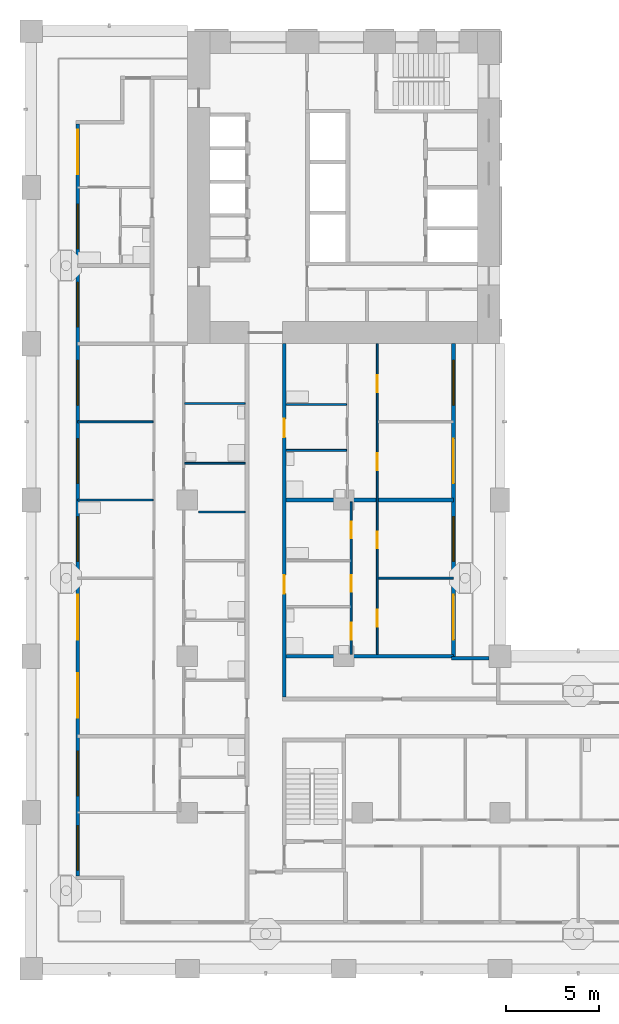
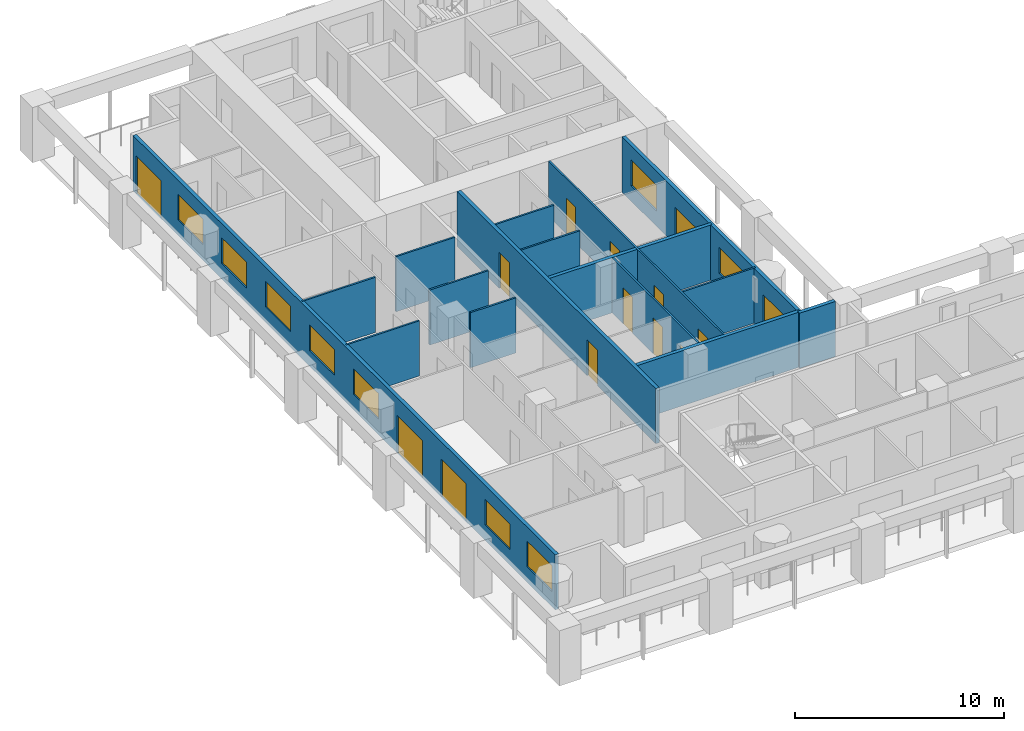
# One storey, part 4 of 19: 16 walls, 14 doors, 9 windows, 23 openings.
"""IFC4 building model written with IfcOpenShell, lengths in metres."""

from ifc_helpers import new_model, si_unit, direction, frame, frame_2d, origin, place, context, subcontext, project, spatial, rectangle, extrude, material, layer, layer_set, type_object, element, fill, save


model = new_model("IFC4")

# Units and contexts
model_context = context("Model", 3, precision=1e-05, world=origin(), true_north=direction((0.0, 1.0)))
body_context = subcontext(model_context, "Body", "Model", "MODEL_VIEW")
ifc_project = project(units=[si_unit("LENGTHUNIT", "METRE"), si_unit("AREAUNIT", "SQUARE_METRE"), si_unit("VOLUMEUNIT", "CUBIC_METRE"), si_unit("PLANEANGLEUNIT", "RADIAN"), si_unit("MASSUNIT", "GRAM", prefix="KILO")], contexts=[model_context])

# Site, building, storey
site_placement = place(None, origin())
site = spatial("IfcSite", under=ifc_project, at=site_placement, CompositionType="ELEMENT")
building_placement = place(site_placement, origin())
building = spatial("IfcBuilding", under=site, at=building_placement, Name="Vermilion Gate Residences", CompositionType="ELEMENT")
storey_placement = place(building_placement, frame((0.0, 0.0, 123.199951171875)))
storey = spatial("IfcBuildingStorey", under=building, at=storey_placement, Name="L31", CompositionType="ELEMENT", Elevation=123.199951171875)

# Wall, openings, doors, windows
ifc_material_1 = material(Name="Insulated steel stud wall with terracotta rainscreen", Category="masonry")
ifc_layer_1 = layer(ifc_material_1, 0.199951171875)
ifc_layer_set_1 = layer_set([ifc_layer_1], Name="EXTERNAL WALL 200 TERRACOTTA RAINSCREEN")
wall_type_1 = type_object("IfcWallType", Name="EXTERNAL WALL 200 TERRACOTTA RAINSCREEN", PredefinedType="SOLIDWALL", material=ifc_layer_set_1)
wall_1_placement = place(storey_placement, frame((2.5, 53.800048828125, 0.0), z_axis=(0.0, 0.0, 1.0), x_axis=(0.0, -1.0, 0.0)))
wall_1 = element("IfcWall", 1, at=wall_1_placement, inside=storey, type_object=wall_type_1, Name="External wall", PredefinedType="SOLIDWALL", context=body_context, shape_type="SweptSolid", body=[
    extrude(rectangle(XDim=40.400146484375, YDim=0.199951171875, at=frame_2d((20.2001953125, 0.0))), origin(), (0.0, 0.0, 1.0), 3.219970703125),
])
opening_1_placement = place(wall_1_placement, frame((37.699951171875, 0.0, 0.89990234375)))
opening_1 = element("IfcOpeningElement", 2, at=opening_1_placement, cuts=wall_1, Name="Opening WE31002", PredefinedType="OPENING", context=body_context, shape_type="SweptSolid", body=[
    extrude(rectangle(XDim=2.39990234375, YDim=1.5, at=frame_2d((1.199951171875, 0.75))), frame((0.0, 0.10986328125, 0.0), z_axis=(0.0, -1.0, 0.0), x_axis=(1.0, 0.0, 0.0)), (0.0, 0.0, 1.0), 0.219970703125),
])
opening_2_placement = place(wall_1_placement, frame((33.699951171875, 0.0, 0.89990234375)))
opening_2 = element("IfcOpeningElement", 3, at=opening_2_placement, cuts=wall_1, Name="Opening WE31003", PredefinedType="OPENING", context=body_context, shape_type="SweptSolid", body=[
    extrude(rectangle(XDim=2.39990234375, YDim=1.5, at=frame_2d((1.199951171875, 0.75))), frame((0.0, 0.10986328125, 0.0), z_axis=(0.0, -1.0, 0.0), x_axis=(1.0, 0.0, 0.0)), (0.0, 0.0, 1.0), 0.219970703125),
])
opening_3_placement = place(wall_1_placement, frame((29.5, 0.0, 0.0)))
opening_3 = element("IfcOpeningElement", 4, at=opening_3_placement, cuts=wall_1, Name="Opening DE31004", PredefinedType="OPENING", context=body_context, shape_type="SweptSolid", body=[
    extrude(rectangle(XDim=2.39990234375, YDim=2.199951171875, at=frame_2d((1.199951171875, 1.10009765625))), frame((0.0, 0.10986328125, 0.0), z_axis=(0.0, -1.0, 0.0), x_axis=(1.0, 0.0, 0.0)), (0.0, 0.0, 1.0), 0.219970703125),
])
opening_4_placement = place(wall_1_placement, frame((25.300048828125, 0.0, 0.0)))
opening_4 = element("IfcOpeningElement", 5, at=opening_4_placement, cuts=wall_1, Name="Opening DE31005", PredefinedType="OPENING", context=body_context, shape_type="SweptSolid", body=[
    extrude(rectangle(XDim=2.39990234375, YDim=2.199951171875, at=frame_2d((1.199951171875, 1.10009765625))), frame((0.0, 0.10986328125, 0.0), z_axis=(0.0, -1.0, 0.0), x_axis=(1.0, 0.0, 0.0)), (0.0, 0.0, 1.0), 0.219970703125),
])
opening_5_placement = place(wall_1_placement, frame((21.10009765625, 0.0, 0.89990234375)))
opening_5 = element("IfcOpeningElement", 6, at=opening_5_placement, cuts=wall_1, Name="Opening WE31006", PredefinedType="OPENING", context=body_context, shape_type="SweptSolid", body=[
    extrude(rectangle(XDim=2.39990234375, YDim=1.5, at=frame_2d((1.199951171875, 0.75))), frame((0.0, 0.10986328125, 0.0), z_axis=(0.0, -1.0, 0.0), x_axis=(1.0, 0.0, 0.0)), (0.0, 0.0, 1.0), 0.219970703125),
])
opening_6_placement = place(wall_1_placement, frame((16.89990234375, 0.0, 0.89990234375)))
opening_6 = element("IfcOpeningElement", 7, at=opening_6_placement, cuts=wall_1, Name="Opening WE31007", PredefinedType="OPENING", context=body_context, shape_type="SweptSolid", body=[
    extrude(rectangle(XDim=2.39990234375, YDim=1.5, at=frame_2d((1.199951171875, 0.75))), frame((0.0, 0.10986328125, 0.0), z_axis=(0.0, -1.0, 0.0), x_axis=(1.0, 0.0, 0.0)), (0.0, 0.0, 1.0), 0.219970703125),
])
opening_7_placement = place(wall_1_placement, frame((12.699951171875, 0.0, 0.89990234375)))
opening_7 = element("IfcOpeningElement", 8, at=opening_7_placement, cuts=wall_1, Name="Opening WE31008", PredefinedType="OPENING", context=body_context, shape_type="SweptSolid", body=[
    extrude(rectangle(XDim=2.39990234375, YDim=1.5, at=frame_2d((1.199951171875, 0.75))), frame((0.0, 0.10986328125, 0.0), z_axis=(0.0, -1.0, 0.0), x_axis=(1.0, 0.0, 0.0)), (0.0, 0.0, 1.0), 0.219970703125),
])
opening_8_placement = place(wall_1_placement, frame((8.5, 0.0, 0.89990234375)))
opening_8 = element("IfcOpeningElement", 9, at=opening_8_placement, cuts=wall_1, Name="Opening WE31009", PredefinedType="OPENING", context=body_context, shape_type="SweptSolid", body=[
    extrude(rectangle(XDim=2.39990234375, YDim=1.5, at=frame_2d((1.199951171875, 0.75))), frame((0.0, 0.10986328125, 0.0), z_axis=(0.0, -1.0, 0.0), x_axis=(1.0, 0.0, 0.0)), (0.0, 0.0, 1.0), 0.219970703125),
])
opening_9_placement = place(wall_1_placement, frame((4.300048828125, 0.0, 0.89990234375)))
opening_9 = element("IfcOpeningElement", 10, at=opening_9_placement, cuts=wall_1, Name="Opening WE31010", PredefinedType="OPENING", context=body_context, shape_type="SweptSolid", body=[
    extrude(rectangle(XDim=2.39990234375, YDim=1.5, at=frame_2d((1.199951171875, 0.75))), frame((0.0, 0.10986328125, 0.0), z_axis=(0.0, -1.0, 0.0), x_axis=(1.0, 0.0, 0.0)), (0.0, 0.0, 1.0), 0.219970703125),
])
opening_10_placement = place(wall_1_placement, frame((0.300048828125, 0.0, 0.0)))
opening_10 = element("IfcOpeningElement", 11, at=opening_10_placement, cuts=wall_1, Name="Opening DE31011", PredefinedType="OPENING", context=body_context, shape_type="SweptSolid", body=[
    extrude(rectangle(XDim=2.39990234375, YDim=2.199951171875, at=frame_2d((1.199951171875, 1.10009765625))), frame((0.0, 0.10986328125, 0.0), z_axis=(0.0, -1.0, 0.0), x_axis=(1.0, 0.0, 0.0)), (0.0, 0.0, 1.0), 0.219970703125),
])
ifc_material_2 = material(Name="Aluminium and clear glass", Category="aluminium")
door_type_1 = type_object("IfcDoorType", Name="SLIDING GLAZED DOOR 2400 X 2200", OperationType="DOUBLE_DOOR_SLIDING", PredefinedType="DOOR", material=ifc_material_2)
door_1_placement = place(opening_3_placement, origin())
door_1 = element("IfcDoor", 12, at=door_1_placement, inside=storey, type_object=door_type_1, Name="Loggia sliding door", OperationType="DOUBLE_DOOR_SLIDING", OverallHeight=2.199951171875, OverallWidth=2.39990234375, PredefinedType="DOOR", context=body_context, shape_type="SweptSolid", body=[
    extrude(rectangle(XDim=2.39990234375, YDim=2.199951171875, at=frame_2d((1.199951171875, 1.10009765625))), frame((0.0, 0.02490234375, 0.0), z_axis=(0.0, -1.0, 0.0), x_axis=(1.0, 0.0, 0.0)), (0.0, 0.0, 1.0), 0.050048828125),
])
fill(opening_3, door_1)
door_2_placement = place(opening_4_placement, origin())
door_2 = element("IfcDoor", 13, at=door_2_placement, inside=storey, type_object=door_type_1, Name="Loggia sliding door", OperationType="DOUBLE_DOOR_SLIDING", OverallHeight=2.199951171875, OverallWidth=2.39990234375, PredefinedType="DOOR", context=body_context, shape_type="SweptSolid", body=[
    extrude(rectangle(XDim=2.39990234375, YDim=2.199951171875, at=frame_2d((1.199951171875, 1.10009765625))), frame((0.0, 0.02490234375, 0.0), z_axis=(0.0, -1.0, 0.0), x_axis=(1.0, 0.0, 0.0)), (0.0, 0.0, 1.0), 0.050048828125),
])
fill(opening_4, door_2)
door_3_placement = place(opening_10_placement, origin())
door_3 = element("IfcDoor", 14, at=door_3_placement, inside=storey, type_object=door_type_1, Name="Loggia sliding door", OperationType="DOUBLE_DOOR_SLIDING", OverallHeight=2.199951171875, OverallWidth=2.39990234375, PredefinedType="DOOR", context=body_context, shape_type="SweptSolid", body=[
    extrude(rectangle(XDim=2.39990234375, YDim=2.199951171875, at=frame_2d((1.199951171875, 1.10009765625))), frame((0.0, 0.02490234375, 0.0), z_axis=(0.0, -1.0, 0.0), x_axis=(1.0, 0.0, 0.0)), (0.0, 0.0, 1.0), 0.050048828125),
])
fill(opening_10, door_3)
ifc_material_3 = material(Name="Aluminium and clear glass", Category="aluminium")
window_type = type_object("IfcWindowType", Name="WINDOW 2400 X 1500", PartitioningType="SINGLE_PANEL", PredefinedType="WINDOW", material=ifc_material_3)
window_1_placement = place(opening_1_placement, origin())
window_1 = element("IfcWindow", 15, at=window_1_placement, inside=storey, type_object=window_type, Name="Window", OverallHeight=1.5, OverallWidth=2.39990234375, PartitioningType="SINGLE_PANEL", PredefinedType="WINDOW", context=body_context, shape_type="SweptSolid", body=[
    extrude(rectangle(XDim=2.39990234375, YDim=1.5, at=frame_2d((1.199951171875, 0.75))), frame((0.0, 0.030029296875, 0.0), z_axis=(0.0, -1.0, 0.0), x_axis=(1.0, 0.0, 0.0)), (0.0, 0.0, 1.0), 0.06005859375),
])
fill(opening_1, window_1)
window_2_placement = place(opening_2_placement, origin())
window_2 = element("IfcWindow", 16, at=window_2_placement, inside=storey, type_object=window_type, Name="Window", OverallHeight=1.5, OverallWidth=2.39990234375, PartitioningType="SINGLE_PANEL", PredefinedType="WINDOW", context=body_context, shape_type="SweptSolid", body=[
    extrude(rectangle(XDim=2.39990234375, YDim=1.5, at=frame_2d((1.199951171875, 0.75))), frame((0.0, 0.030029296875, 0.0), z_axis=(0.0, -1.0, 0.0), x_axis=(1.0, 0.0, 0.0)), (0.0, 0.0, 1.0), 0.06005859375),
])
fill(opening_2, window_2)
window_3_placement = place(opening_5_placement, origin())
window_3 = element("IfcWindow", 17, at=window_3_placement, inside=storey, type_object=window_type, Name="Window", OverallHeight=1.5, OverallWidth=2.39990234375, PartitioningType="SINGLE_PANEL", PredefinedType="WINDOW", context=body_context, shape_type="SweptSolid", body=[
    extrude(rectangle(XDim=2.39990234375, YDim=1.5, at=frame_2d((1.199951171875, 0.75))), frame((0.0, 0.030029296875, 0.0), z_axis=(0.0, -1.0, 0.0), x_axis=(1.0, 0.0, 0.0)), (0.0, 0.0, 1.0), 0.06005859375),
])
fill(opening_5, window_3)
window_4_placement = place(opening_6_placement, origin())
window_4 = element("IfcWindow", 18, at=window_4_placement, inside=storey, type_object=window_type, Name="Window", OverallHeight=1.5, OverallWidth=2.39990234375, PartitioningType="SINGLE_PANEL", PredefinedType="WINDOW", context=body_context, shape_type="SweptSolid", body=[
    extrude(rectangle(XDim=2.39990234375, YDim=1.5, at=frame_2d((1.199951171875, 0.75))), frame((0.0, 0.030029296875, 0.0), z_axis=(0.0, -1.0, 0.0), x_axis=(1.0, 0.0, 0.0)), (0.0, 0.0, 1.0), 0.06005859375),
])
fill(opening_6, window_4)
window_5_placement = place(opening_7_placement, origin())
window_5 = element("IfcWindow", 19, at=window_5_placement, inside=storey, type_object=window_type, Name="Window", OverallHeight=1.5, OverallWidth=2.39990234375, PartitioningType="SINGLE_PANEL", PredefinedType="WINDOW", context=body_context, shape_type="SweptSolid", body=[
    extrude(rectangle(XDim=2.39990234375, YDim=1.5, at=frame_2d((1.199951171875, 0.75))), frame((0.0, 0.030029296875, 0.0), z_axis=(0.0, -1.0, 0.0), x_axis=(1.0, 0.0, 0.0)), (0.0, 0.0, 1.0), 0.06005859375),
])
fill(opening_7, window_5)
window_6_placement = place(opening_8_placement, origin())
window_6 = element("IfcWindow", 20, at=window_6_placement, inside=storey, type_object=window_type, Name="Window", OverallHeight=1.5, OverallWidth=2.39990234375, PartitioningType="SINGLE_PANEL", PredefinedType="WINDOW", context=body_context, shape_type="SweptSolid", body=[
    extrude(rectangle(XDim=2.39990234375, YDim=1.5, at=frame_2d((1.199951171875, 0.75))), frame((0.0, 0.030029296875, 0.0), z_axis=(0.0, -1.0, 0.0), x_axis=(1.0, 0.0, 0.0)), (0.0, 0.0, 1.0), 0.06005859375),
])
fill(opening_8, window_6)
window_7_placement = place(opening_9_placement, origin())
window_7 = element("IfcWindow", 21, at=window_7_placement, inside=storey, type_object=window_type, Name="Window", OverallHeight=1.5, OverallWidth=2.39990234375, PartitioningType="SINGLE_PANEL", PredefinedType="WINDOW", context=body_context, shape_type="SweptSolid", body=[
    extrude(rectangle(XDim=2.39990234375, YDim=1.5, at=frame_2d((1.199951171875, 0.75))), frame((0.0, 0.030029296875, 0.0), z_axis=(0.0, -1.0, 0.0), x_axis=(1.0, 0.0, 0.0)), (0.0, 0.0, 1.0), 0.06005859375),
])
fill(opening_9, window_7)

# Wall
wall_2_placement = place(storey_placement, frame((24.60009765625, 25.10009765625, 0.0), z_axis=(0.0, 0.0, 1.0), x_axis=(-1.0, 0.0, 0.0)))
element("IfcWall", 22, at=wall_2_placement, inside=storey, type_object=wall_type_1, Name="External wall", PredefinedType="SOLIDWALL", context=body_context, shape_type="SweptSolid", body=[
    extrude(rectangle(XDim=2.0, YDim=0.199951171875, at=frame_2d((1.0, 0.0))), origin(), (0.0, 0.0, 1.0), 3.219970703125),
])

# Wall, openings, doors, windows
wall_3_placement = place(storey_placement, frame((22.699951171875, 25.199951171875, 0.0), z_axis=(0.0, 0.0, 1.0), x_axis=(0.0, 1.0, 0.0)))
wall_3 = element("IfcWall", 23, at=wall_3_placement, inside=storey, type_object=wall_type_1, Name="External wall", PredefinedType="SOLIDWALL", context=body_context, shape_type="SweptSolid", body=[
    extrude(rectangle(XDim=16.800048828125, YDim=0.199951171875, at=frame_2d((8.39990234375, 0.0))), origin(), (0.0, 0.0, 1.0), 3.219970703125),
])
opening_11_placement = place(wall_3_placement, frame((0.89990234375, 0.0, 0.0)))
opening_11 = element("IfcOpeningElement", 24, at=opening_11_placement, cuts=wall_3, Name="Opening DE31024", PredefinedType="OPENING", context=body_context, shape_type="SweptSolid", body=[
    extrude(rectangle(XDim=2.39990234375, YDim=2.199951171875, at=frame_2d((1.199951171875, 1.10009765625))), frame((0.0, 0.10986328125, 0.0), z_axis=(0.0, -1.0, 0.0), x_axis=(1.0, 0.0, 0.0)), (0.0, 0.0, 1.0), 0.219970703125),
])
opening_12_placement = place(wall_3_placement, frame((5.10009765625, 0.0, 0.89990234375)))
opening_12 = element("IfcOpeningElement", 25, at=opening_12_placement, cuts=wall_3, Name="Opening WE31025", PredefinedType="OPENING", context=body_context, shape_type="SweptSolid", body=[
    extrude(rectangle(XDim=2.39990234375, YDim=1.5, at=frame_2d((1.199951171875, 0.75))), frame((0.0, 0.10986328125, 0.0), z_axis=(0.0, -1.0, 0.0), x_axis=(1.0, 0.0, 0.0)), (0.0, 0.0, 1.0), 0.219970703125),
])
opening_13_placement = place(wall_3_placement, frame((9.300048828125, 0.0, 0.0)))
opening_13 = element("IfcOpeningElement", 26, at=opening_13_placement, cuts=wall_3, Name="Opening DE31026", PredefinedType="OPENING", context=body_context, shape_type="SweptSolid", body=[
    extrude(rectangle(XDim=2.39990234375, YDim=2.199951171875, at=frame_2d((1.199951171875, 1.10009765625))), frame((0.0, 0.10986328125, 0.0), z_axis=(0.0, -1.0, 0.0), x_axis=(1.0, 0.0, 0.0)), (0.0, 0.0, 1.0), 0.219970703125),
])
opening_14_placement = place(wall_3_placement, frame((13.5, 0.0, 0.89990234375)))
opening_14 = element("IfcOpeningElement", 27, at=opening_14_placement, cuts=wall_3, Name="Opening WE31027", PredefinedType="OPENING", context=body_context, shape_type="SweptSolid", body=[
    extrude(rectangle(XDim=2.39990234375, YDim=1.5, at=frame_2d((1.199951171875, 0.75))), frame((0.0, 0.10986328125, 0.0), z_axis=(0.0, -1.0, 0.0), x_axis=(1.0, 0.0, 0.0)), (0.0, 0.0, 1.0), 0.219970703125),
])
door_4_placement = place(opening_11_placement, origin())
door_4 = element("IfcDoor", 28, at=door_4_placement, inside=storey, type_object=door_type_1, Name="Loggia sliding door", OperationType="DOUBLE_DOOR_SLIDING", OverallHeight=2.199951171875, OverallWidth=2.39990234375, PredefinedType="DOOR", context=body_context, shape_type="SweptSolid", body=[
    extrude(rectangle(XDim=2.39990234375, YDim=2.199951171875, at=frame_2d((1.199951171875, 1.10009765625))), frame((0.0, 0.02490234375, 0.0), z_axis=(0.0, -1.0, 0.0), x_axis=(1.0, 0.0, 0.0)), (0.0, 0.0, 1.0), 0.050048828125),
])
fill(opening_11, door_4)
door_5_placement = place(opening_13_placement, origin())
door_5 = element("IfcDoor", 29, at=door_5_placement, inside=storey, type_object=door_type_1, Name="Loggia sliding door", OperationType="DOUBLE_DOOR_SLIDING", OverallHeight=2.199951171875, OverallWidth=2.39990234375, PredefinedType="DOOR", context=body_context, shape_type="SweptSolid", body=[
    extrude(rectangle(XDim=2.39990234375, YDim=2.199951171875, at=frame_2d((1.199951171875, 1.10009765625))), frame((0.0, 0.02490234375, 0.0), z_axis=(0.0, -1.0, 0.0), x_axis=(1.0, 0.0, 0.0)), (0.0, 0.0, 1.0), 0.050048828125),
])
fill(opening_13, door_5)
window_8_placement = place(opening_12_placement, origin())
window_8 = element("IfcWindow", 30, at=window_8_placement, inside=storey, type_object=window_type, Name="Window", OverallHeight=1.5, OverallWidth=2.39990234375, PartitioningType="SINGLE_PANEL", PredefinedType="WINDOW", context=body_context, shape_type="SweptSolid", body=[
    extrude(rectangle(XDim=2.39990234375, YDim=1.5, at=frame_2d((1.199951171875, 0.75))), frame((0.0, 0.030029296875, 0.0), z_axis=(0.0, -1.0, 0.0), x_axis=(1.0, 0.0, 0.0)), (0.0, 0.0, 1.0), 0.06005859375),
])
fill(opening_12, window_8)
window_9_placement = place(opening_14_placement, origin())
window_9 = element("IfcWindow", 31, at=window_9_placement, inside=storey, type_object=window_type, Name="Window", OverallHeight=1.5, OverallWidth=2.39990234375, PartitioningType="SINGLE_PANEL", PredefinedType="WINDOW", context=body_context, shape_type="SweptSolid", body=[
    extrude(rectangle(XDim=2.39990234375, YDim=1.5, at=frame_2d((1.199951171875, 0.75))), frame((0.0, 0.030029296875, 0.0), z_axis=(0.0, -1.0, 0.0), x_axis=(1.0, 0.0, 0.0)), (0.0, 0.0, 1.0), 0.06005859375),
])
fill(opening_14, window_9)

# Walls
ifc_material_4 = material(Name="Plasterboard on steel studs", Category="steel")
ifc_layer_2 = layer(ifc_material_4, 0.10009765625)
ifc_layer_set_2 = layer_set([ifc_layer_2], Name="PARTITION 100")
wall_type_2 = type_object("IfcWallType", Name="PARTITION 100", PredefinedType="PARTITIONING", material=ifc_layer_set_2)
wall_4_placement = place(storey_placement, frame((18.64990234375, 29.39990234375, 0.0), z_axis=(0.0, 0.0, 1.0), x_axis=(1.0, 0.0, 0.0)))
element("IfcWall", 32, at=wall_4_placement, inside=storey, type_object=wall_type_2, Name="Partition", PredefinedType="PARTITIONING", context=body_context, shape_type="SweptSolid", body=[
    extrude(rectangle(XDim=4.050048828125, YDim=0.10009765625, at=frame_2d((2.02490234375, 0.0))), origin(), (0.0, 0.0, 1.0), 3.219970703125),
])
wall_5_placement = place(storey_placement, frame((9.0, 32.95703125, 0.0), z_axis=(0.0, 0.0, 1.0), x_axis=(1.0, 0.0, 0.0)))
element("IfcWall", 33, at=wall_5_placement, inside=storey, type_object=wall_type_2, Name="Partition", PredefinedType="PARTITIONING", context=body_context, shape_type="SweptSolid", body=[
    extrude(rectangle(XDim=2.5, YDim=0.10009765625, at=frame_2d((1.25, 0.0))), origin(), (0.0, 0.0, 1.0), 3.219970703125),
])
wall_6_placement = place(storey_placement, frame((2.5, 33.60009765625, 0.0), z_axis=(0.0, 0.0, 1.0), x_axis=(1.0, 0.0, 0.0)))
element("IfcWall", 34, at=wall_6_placement, inside=storey, type_object=wall_type_2, Name="Partition", PredefinedType="PARTITIONING", context=body_context, shape_type="SweptSolid", body=[
    extrude(rectangle(XDim=4.050048828125, YDim=0.10009765625, at=frame_2d((2.02490234375, 0.0))), origin(), (0.0, 0.0, 1.0), 3.219970703125),
])
for number, where, z_axis, x_axis, name in (
    (35, (8.25, 35.572021484375, 0.0), (0.0, 0.0, 1.0), (1.0, 0.0, 0.0), "Partition"),
    (36, (13.699951171875, 36.26708984375, 0.0), (0.0, 0.0, 1.0), (1.0, 0.0, 0.0), "Partition"),
):
    element("IfcWall", number, at=place(storey_placement, frame(where, z_axis=z_axis, x_axis=x_axis)), inside=storey, type_object=wall_type_2, Name=name, PredefinedType="PARTITIONING", context=body_context, shape_type="SweptSolid", body=[
        extrude(rectangle(XDim=3.25, YDim=0.10009765625, at=frame_2d((1.625, 0.0))), origin(), (0.0, 0.0, 1.0), 3.219970703125),
    ])
wall_7_placement = place(storey_placement, frame((2.5, 37.800048828125, 0.0), z_axis=(0.0, 0.0, 1.0), x_axis=(1.0, 0.0, 0.0)))
element("IfcWall", 37, at=wall_7_placement, inside=storey, type_object=wall_type_2, Name="Partition", PredefinedType="PARTITIONING", context=body_context, shape_type="SweptSolid", body=[
    extrude(rectangle(XDim=4.050048828125, YDim=0.10009765625, at=frame_2d((2.02490234375, 0.0))), origin(), (0.0, 0.0, 1.0), 3.219970703125),
])
for number, where, z_axis, x_axis, name in (
    (38, (13.699951171875, 38.73291015625, 0.0), (0.0, 0.0, 1.0), (1.0, 0.0, 0.0), "Partition"),
    (39, (8.25, 38.785888671875, 0.0), (0.0, 0.0, 1.0), (1.0, 0.0, 0.0), "Partition"),
):
    element("IfcWall", number, at=place(storey_placement, frame(where, z_axis=z_axis, x_axis=x_axis)), inside=storey, type_object=wall_type_2, Name=name, PredefinedType="PARTITIONING", context=body_context, shape_type="SweptSolid", body=[
        extrude(rectangle(XDim=3.25, YDim=0.10009765625, at=frame_2d((1.625, 0.0))), origin(), (0.0, 0.0, 1.0), 3.219970703125),
    ])

# Wall, openings, doors
wall_8_placement = place(storey_placement, frame((17.199951171875, 25.300048828125, 0.0), z_axis=(0.0, 0.0, 1.0), x_axis=(0.0, 1.0, 0.0)))
wall_8 = element("IfcWall", 40, at=wall_8_placement, inside=storey, type_object=wall_type_2, Name="Partition", PredefinedType="PARTITIONING", context=body_context, shape_type="SweptSolid", body=[
    extrude(rectangle(XDim=8.199951171875, YDim=0.10009765625, at=frame_2d((4.10009765625, 0.0))), origin(), (0.0, 0.0, 1.0), 3.219970703125),
])
opening_15_placement = place(wall_8_placement, frame((3.366943359375, 0.0, 0.0)))
opening_15 = element("IfcOpeningElement", 41, at=opening_15_placement, cuts=wall_8, Name="Opening DA30043", PredefinedType="OPENING", context=body_context, shape_type="SweptSolid", body=[
    extrude(rectangle(XDim=0.89990234375, YDim=2.10009765625, at=frame_2d((0.449951171875, 1.050048828125))), frame((0.0, 0.06005859375, 0.0), z_axis=(0.0, -1.0, 0.0), x_axis=(1.0, 0.0, 0.0)), (0.0, 0.0, 1.0), 0.1201171875),
])
opening_16_placement = place(wall_8_placement, frame((0.800048828125, 0.0, 0.0)))
opening_16 = element("IfcOpeningElement", 42, at=opening_16_placement, cuts=wall_8, Name="Opening DA30044", PredefinedType="OPENING", context=body_context, shape_type="SweptSolid", body=[
    extrude(rectangle(XDim=0.89990234375, YDim=2.10009765625, at=frame_2d((0.449951171875, 1.050048828125))), frame((0.0, 0.06005859375, 0.0), z_axis=(0.0, -1.0, 0.0), x_axis=(1.0, 0.0, 0.0)), (0.0, 0.0, 1.0), 0.1201171875),
])
opening_17_placement = place(wall_8_placement, frame((6.23291015625, 0.0, 0.0)))
opening_17 = element("IfcOpeningElement", 43, at=opening_17_placement, cuts=wall_8, Name="Opening DA30045", PredefinedType="OPENING", context=body_context, shape_type="SweptSolid", body=[
    extrude(rectangle(XDim=0.89990234375, YDim=2.10009765625, at=frame_2d((0.449951171875, 1.050048828125))), frame((0.0, 0.06005859375, 0.0), z_axis=(0.0, -1.0, 0.0), x_axis=(1.0, 0.0, 0.0)), (0.0, 0.0, 1.0), 0.1201171875),
])
ifc_material_5 = material(Name="Timber", Category="wood")
door_type_2 = type_object("IfcDoorType", Name="INTERIOR DOOR 900 X 2100", OperationType="SINGLE_SWING_LEFT", PredefinedType="DOOR", material=ifc_material_5)
door_6_placement = place(opening_15_placement, origin())
door_6 = element("IfcDoor", 44, at=door_6_placement, inside=storey, type_object=door_type_2, Name="Interior door", OperationType="SINGLE_SWING_RIGHT", OverallHeight=2.10009765625, OverallWidth=0.89990234375, PredefinedType="DOOR", context=body_context, shape_type="SweptSolid", body=[
    extrude(rectangle(XDim=0.89990234375, YDim=2.10009765625, at=frame_2d((0.449951171875, 1.050048828125))), frame((0.0, 0.02490234375, 0.0), z_axis=(0.0, -1.0, 0.0), x_axis=(1.0, 0.0, 0.0)), (0.0, 0.0, 1.0), 0.050048828125),
])
fill(opening_15, door_6)
door_7_placement = place(opening_16_placement, origin())
door_7 = element("IfcDoor", 45, at=door_7_placement, inside=storey, type_object=door_type_2, Name="Interior door", OperationType="SINGLE_SWING_LEFT", OverallHeight=2.10009765625, OverallWidth=0.89990234375, PredefinedType="DOOR", context=body_context, shape_type="SweptSolid", body=[
    extrude(rectangle(XDim=0.89990234375, YDim=2.10009765625, at=frame_2d((0.449951171875, 1.050048828125))), frame((0.0, 0.02490234375, 0.0), z_axis=(0.0, -1.0, 0.0), x_axis=(1.0, 0.0, 0.0)), (0.0, 0.0, 1.0), 0.050048828125),
])
fill(opening_16, door_7)
door_8_placement = place(opening_17_placement, origin())
door_8 = element("IfcDoor", 46, at=door_8_placement, inside=storey, type_object=door_type_2, Name="Interior door", OperationType="SINGLE_SWING_RIGHT", OverallHeight=2.10009765625, OverallWidth=0.89990234375, PredefinedType="DOOR", context=body_context, shape_type="SweptSolid", body=[
    extrude(rectangle(XDim=0.89990234375, YDim=2.10009765625, at=frame_2d((0.449951171875, 1.050048828125))), frame((0.0, 0.02490234375, 0.0), z_axis=(0.0, -1.0, 0.0), x_axis=(1.0, 0.0, 0.0)), (0.0, 0.0, 1.0), 0.050048828125),
])
fill(opening_17, door_8)

wall_9_placement = place(storey_placement, frame((18.60009765625, 25.300048828125, 0.0), z_axis=(0.0, 0.0, 1.0), x_axis=(0.0, 1.0, 0.0)))
wall_9 = element("IfcWall", 47, at=wall_9_placement, inside=storey, type_object=wall_type_2, Name="Partition", PredefinedType="PARTITIONING", context=body_context, shape_type="SweptSolid", body=[
    extrude(rectangle(XDim=16.699951171875, YDim=0.10009765625, at=frame_2d((8.35009765625, 0.0))), origin(), (0.0, 0.0, 1.0), 3.219970703125),
])
opening_18_placement = place(wall_9_placement, frame((1.5, 0.0, 0.0)))
opening_18 = element("IfcOpeningElement", 48, at=opening_18_placement, cuts=wall_9, Name="Opening DA30046", PredefinedType="OPENING", context=body_context, shape_type="SweptSolid", body=[
    extrude(rectangle(XDim=0.89990234375, YDim=2.10009765625, at=frame_2d((0.449951171875, 1.050048828125))), frame((0.0, 0.06005859375, 0.0), z_axis=(0.0, -1.0, 0.0), x_axis=(1.0, 0.0, 0.0)), (0.0, 0.0, 1.0), 0.1201171875),
])
opening_19_placement = place(wall_9_placement, frame((5.699951171875, 0.0, 0.0)))
opening_19 = element("IfcOpeningElement", 49, at=opening_19_placement, cuts=wall_9, Name="Opening DA30047", PredefinedType="OPENING", context=body_context, shape_type="SweptSolid", body=[
    extrude(rectangle(XDim=0.89990234375, YDim=2.10009765625, at=frame_2d((0.449951171875, 1.050048828125))), frame((0.0, 0.06005859375, 0.0), z_axis=(0.0, -1.0, 0.0), x_axis=(1.0, 0.0, 0.0)), (0.0, 0.0, 1.0), 0.1201171875),
])
opening_20_placement = place(wall_9_placement, frame((9.89990234375, 0.0, 0.0)))
opening_20 = element("IfcOpeningElement", 50, at=opening_20_placement, cuts=wall_9, Name="Opening DA30048", PredefinedType="OPENING", context=body_context, shape_type="SweptSolid", body=[
    extrude(rectangle(XDim=0.89990234375, YDim=2.10009765625, at=frame_2d((0.449951171875, 1.050048828125))), frame((0.0, 0.06005859375, 0.0), z_axis=(0.0, -1.0, 0.0), x_axis=(1.0, 0.0, 0.0)), (0.0, 0.0, 1.0), 0.1201171875),
])
opening_21_placement = place(wall_9_placement, frame((14.10009765625, 0.0, 0.0)))
opening_21 = element("IfcOpeningElement", 51, at=opening_21_placement, cuts=wall_9, Name="Opening DA30049", PredefinedType="OPENING", context=body_context, shape_type="SweptSolid", body=[
    extrude(rectangle(XDim=0.89990234375, YDim=2.10009765625, at=frame_2d((0.449951171875, 1.050048828125))), frame((0.0, 0.06005859375, 0.0), z_axis=(0.0, -1.0, 0.0), x_axis=(1.0, 0.0, 0.0)), (0.0, 0.0, 1.0), 0.1201171875),
])
door_9_placement = place(opening_18_placement, frame((0.89990234375, 0.0, 0.0), z_axis=(0.0, 0.0, 1.0), x_axis=(-1.0, 0.0, 0.0)))
door_9 = element("IfcDoor", 52, at=door_9_placement, inside=storey, type_object=door_type_2, Name="Interior door", OperationType="SINGLE_SWING_RIGHT", OverallHeight=2.10009765625, OverallWidth=0.89990234375, PredefinedType="DOOR", context=body_context, shape_type="SweptSolid", body=[
    extrude(rectangle(XDim=0.89990234375, YDim=2.10009765625, at=frame_2d((0.449951171875, 1.050048828125))), frame((0.0, 0.02490234375, 0.0), z_axis=(0.0, -1.0, 0.0), x_axis=(1.0, 0.0, 0.0)), (0.0, 0.0, 1.0), 0.050048828125),
])
fill(opening_18, door_9)
door_10_placement = place(opening_19_placement, frame((0.89990234375, 0.0, 0.0), z_axis=(0.0, 0.0, 1.0), x_axis=(-1.0, 0.0, 0.0)))
door_10 = element("IfcDoor", 53, at=door_10_placement, inside=storey, type_object=door_type_2, Name="Interior door", OperationType="SINGLE_SWING_RIGHT", OverallHeight=2.10009765625, OverallWidth=0.89990234375, PredefinedType="DOOR", context=body_context, shape_type="SweptSolid", body=[
    extrude(rectangle(XDim=0.89990234375, YDim=2.10009765625, at=frame_2d((0.449951171875, 1.050048828125))), frame((0.0, 0.02490234375, 0.0), z_axis=(0.0, -1.0, 0.0), x_axis=(1.0, 0.0, 0.0)), (0.0, 0.0, 1.0), 0.050048828125),
])
fill(opening_19, door_10)
door_11_placement = place(opening_20_placement, frame((0.89990234375, 0.0, 0.0), z_axis=(0.0, 0.0, 1.0), x_axis=(-1.0, 0.0, 0.0)))
door_11 = element("IfcDoor", 54, at=door_11_placement, inside=storey, type_object=door_type_2, Name="Interior door", OperationType="SINGLE_SWING_RIGHT", OverallHeight=2.10009765625, OverallWidth=0.89990234375, PredefinedType="DOOR", context=body_context, shape_type="SweptSolid", body=[
    extrude(rectangle(XDim=0.89990234375, YDim=2.10009765625, at=frame_2d((0.449951171875, 1.050048828125))), frame((0.0, 0.02490234375, 0.0), z_axis=(0.0, -1.0, 0.0), x_axis=(1.0, 0.0, 0.0)), (0.0, 0.0, 1.0), 0.050048828125),
])
fill(opening_20, door_11)
door_12_placement = place(opening_21_placement, frame((0.89990234375, 0.0, 0.0), z_axis=(0.0, 0.0, 1.0), x_axis=(-1.0, 0.0, 0.0)))
door_12 = element("IfcDoor", 55, at=door_12_placement, inside=storey, type_object=door_type_2, Name="Interior door", OperationType="SINGLE_SWING_RIGHT", OverallHeight=2.10009765625, OverallWidth=0.89990234375, PredefinedType="DOOR", context=body_context, shape_type="SweptSolid", body=[
    extrude(rectangle(XDim=0.89990234375, YDim=2.10009765625, at=frame_2d((0.449951171875, 1.050048828125))), frame((0.0, 0.02490234375, 0.0), z_axis=(0.0, -1.0, 0.0), x_axis=(1.0, 0.0, 0.0)), (0.0, 0.0, 1.0), 0.050048828125),
])
fill(opening_21, door_12)

# Walls
ifc_material_6 = material(Name="Fire-rated plasterboard on steel studs", Category="steel")
ifc_layer_3 = layer(ifc_material_6, 0.199951171875)
ifc_layer_set_3 = layer_set([ifc_layer_3], Name="PARTY WALL 200 EI 120")
wall_type_3 = type_object("IfcWallType", Name="PARTY WALL 200 EI 120", PredefinedType="PARTITIONING", material=ifc_layer_set_3)
for number, where, z_axis, x_axis, name in (
    (56, (13.699951171875, 25.199951171875, 0.0), (0.0, 0.0, 1.0), (1.0, 0.0, 0.0), "Party and corridor wall"),
    (57, (13.699951171875, 33.60009765625, 0.0), (0.0, 0.0, 1.0), (1.0, 0.0, 0.0), "Party and corridor wall"),
):
    element("IfcWall", number, at=place(storey_placement, frame(where, z_axis=z_axis, x_axis=x_axis)), inside=storey, type_object=wall_type_3, Name=name, PredefinedType="PARTITIONING", context=body_context, shape_type="SweptSolid", body=[
        extrude(rectangle(XDim=9.0, YDim=0.199951171875, at=frame_2d((4.5, 0.0))), origin(), (0.0, 0.0, 1.0), 3.219970703125),
    ])

# Wall, openings, doors
wall_10_placement = place(storey_placement, frame((13.60009765625, 23.0, 0.0), z_axis=(0.0, 0.0, 1.0), x_axis=(0.0, 1.0, 0.0)))
wall_10 = element("IfcWall", 58, at=wall_10_placement, inside=storey, type_object=wall_type_3, Name="Party and corridor wall", PredefinedType="PARTITIONING", context=body_context, shape_type="SweptSolid", body=[
    extrude(rectangle(XDim=19.0, YDim=0.199951171875, at=frame_2d((9.5, 0.0))), origin(), (0.0, 0.0, 1.0), 3.219970703125),
])
opening_22_placement = place(wall_10_placement, frame((5.56689453125, 0.0, 0.0)))
opening_22 = element("IfcOpeningElement", 59, at=opening_22_placement, cuts=wall_10, Name="Opening DA30038", PredefinedType="OPENING", context=body_context, shape_type="SweptSolid", body=[
    extrude(rectangle(XDim=1.0, YDim=2.10009765625, at=frame_2d((0.5, 1.050048828125))), frame((0.0, 0.10986328125, 0.0), z_axis=(0.0, -1.0, 0.0), x_axis=(1.0, 0.0, 0.0)), (0.0, 0.0, 1.0), 0.219970703125),
])
opening_23_placement = place(wall_10_placement, frame((13.967041015625, 0.0, 0.0)))
opening_23 = element("IfcOpeningElement", 60, at=opening_23_placement, cuts=wall_10, Name="Opening DA30039", PredefinedType="OPENING", context=body_context, shape_type="SweptSolid", body=[
    extrude(rectangle(XDim=1.0, YDim=2.10009765625, at=frame_2d((0.5, 1.050048828125))), frame((0.0, 0.10986328125, 0.0), z_axis=(0.0, -1.0, 0.0), x_axis=(1.0, 0.0, 0.0)), (0.0, 0.0, 1.0), 0.219970703125),
])
ifc_material_7 = material(Name="Steel", Category="steel")
door_type_3 = type_object("IfcDoorType", Name="ENTRANCE DOOR 1000 X 2100 FD30", OperationType="SINGLE_SWING_LEFT", PredefinedType="DOOR", material=ifc_material_7)
door_13_placement = place(opening_22_placement, frame((1.0, 0.0, 0.0), z_axis=(0.0, 0.0, 1.0), x_axis=(-1.0, 0.0, 0.0)))
door_13 = element("IfcDoor", 61, at=door_13_placement, inside=storey, type_object=door_type_3, Name="Entrance door", OperationType="SINGLE_SWING_RIGHT", OverallHeight=2.10009765625, OverallWidth=1.0, PredefinedType="DOOR", context=body_context, shape_type="SweptSolid", body=[
    extrude(rectangle(XDim=1.0, YDim=2.10009765625, at=frame_2d((0.5, 1.050048828125))), frame((0.0, 0.02490234375, 0.0), z_axis=(0.0, -1.0, 0.0), x_axis=(1.0, 0.0, 0.0)), (0.0, 0.0, 1.0), 0.050048828125),
])
fill(opening_22, door_13)
door_14_placement = place(opening_23_placement, frame((1.0, 0.0, 0.0), z_axis=(0.0, 0.0, 1.0), x_axis=(-1.0, 0.0, 0.0)))
door_14 = element("IfcDoor", 62, at=door_14_placement, inside=storey, type_object=door_type_3, Name="Entrance door", OperationType="SINGLE_SWING_RIGHT", OverallHeight=2.10009765625, OverallWidth=1.0, PredefinedType="DOOR", context=body_context, shape_type="SweptSolid", body=[
    extrude(rectangle(XDim=1.0, YDim=2.10009765625, at=frame_2d((0.5, 1.050048828125))), frame((0.0, 0.02490234375, 0.0), z_axis=(0.0, -1.0, 0.0), x_axis=(1.0, 0.0, 0.0)), (0.0, 0.0, 1.0), 0.050048828125),
])
fill(opening_23, door_14)

save(model, "model.ifc")
